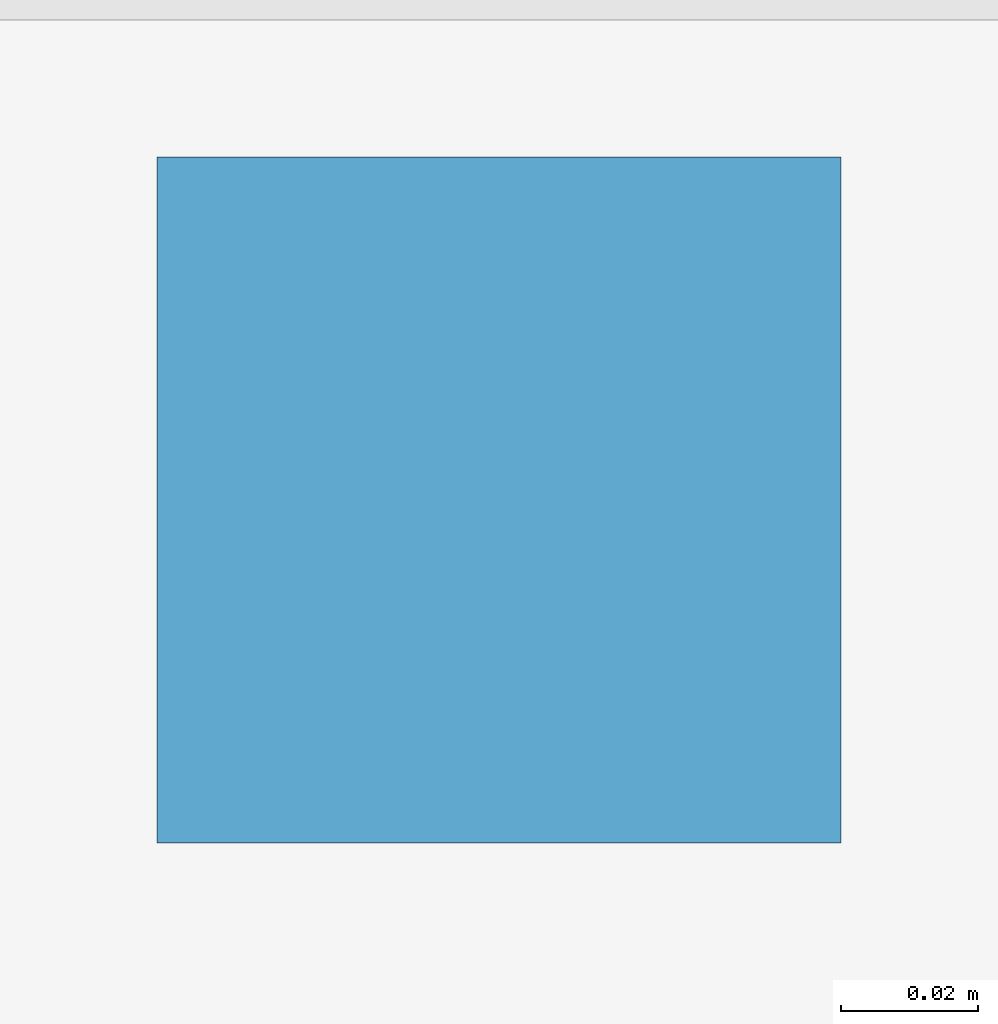
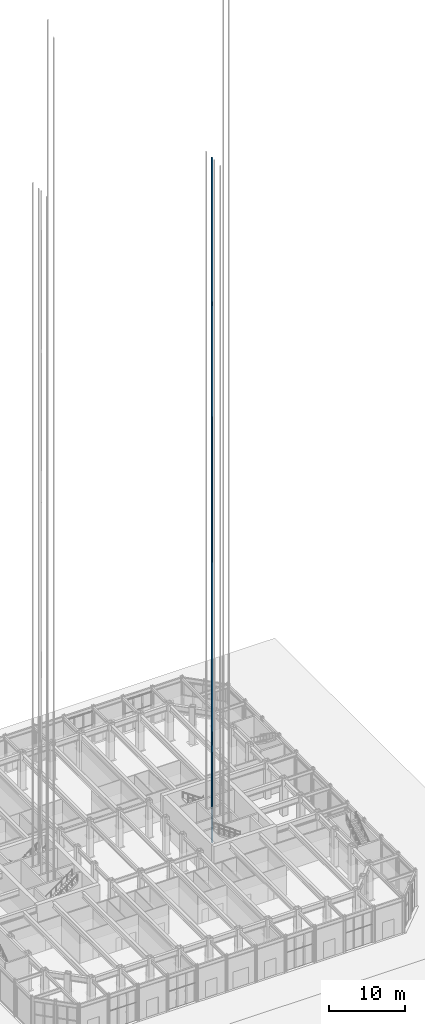
# One storey, part 34 of 39: 1 discrete accessory.
"""IFC4 building model written with IfcOpenShell, lengths in metres."""

import ifcopenshell
import ifcopenshell.guid

model = None  # the IFC model being written
_history = None  # IfcOwnerHistory: only IFC2X3 demands one
_inside = {}  # id of a spatial element -> (the spatial element, [elements in it])
_under = {}  # id of a project, library or spatial element -> (it, [spatial elements below it])
_declared = {}  # id of a project -> (the project, [libraries it declares])
_typed = {}  # id of a type object -> (the type object, [elements of that type])
_made_of = {}  # id of a material, layer set ... -> (it, [elements and type objects made of it])


def new_model(schema):
    """Start an empty IFC model of exactly this schema.

    Asked for "IFC4X3", IfcOpenShell would pick the latest addendum, in which some entities
    have other attributes; the version numbers below select the first issue.
    IFC2X3 requires an IfcOwnerHistory on every rooted entity: one is made here for all.
    """
    global model, _history
    if schema == "IFC4X3":
        model = ifcopenshell.file(schema_version=(4, 3, 0, 0))
    else:
        model = ifcopenshell.file(schema=schema)
    _inside.clear()
    _under.clear()
    _declared.clear()
    _typed.clear()
    _made_of.clear()
    _history = None
    if model.schema == "IFC2X3":
        org = make("IfcOrganization", Name="unknown")
        user = make(
            "IfcPersonAndOrganization",
            ThePerson=make("IfcPerson", FamilyName="unknown"),
            TheOrganization=org,
        )
        app = make(
            "IfcApplication",
            ApplicationDeveloper=org,
            Version="unknown",
            ApplicationFullName="unknown",
            ApplicationIdentifier="unknown",
        )
        _history = make(
            "IfcOwnerHistory",
            OwningUser=user,
            OwningApplication=app,
            ChangeAction="ADDED",
            CreationDate=0,
        )
    return model


def make(cls, **values):
    """One entity of the class cls with the attributes given. An attribute that is None is left unset."""
    return model.create_entity(
        cls, **{name: value for name, value in values.items() if value is not None}
    )


def rooted(cls, **values):
    """An entity with a GlobalId (a new one), such as an element, a storey or a relation."""
    return make(cls, GlobalId=ifcopenshell.guid.new(), OwnerHistory=_history, **values)


def si_unit(unit_type, name, prefix=None):
    """IfcSIUnit, for example si_unit("LENGTHUNIT", "METRE", prefix="MILLI")."""
    return make("IfcSIUnit", UnitType=unit_type, Prefix=prefix, Name=name)


def assignment(units):
    """IfcUnitAssignment: the units of a project."""
    return None if units is None else make("IfcUnitAssignment", Units=units)


def point(xyz):
    """IfcCartesianPoint."""
    return None if xyz is None else make("IfcCartesianPoint", Coordinates=xyz)


def direction(xyz):
    """IfcDirection."""
    return None if xyz is None else make("IfcDirection", DirectionRatios=xyz)


def frame(location, z_axis=None, x_axis=None):
    """IfcAxis2Placement3D, a coordinate frame: its origin and axes. An axis left out is left unset."""
    return make(
        "IfcAxis2Placement3D",
        Location=point(location),
        Axis=direction(z_axis),
        RefDirection=direction(x_axis),
    )


def origin():
    """The frame at (0, 0, 0) with its axes left unset."""
    return frame((0.0, 0.0, 0.0))


def place(relative_to, where):
    """IfcLocalPlacement: puts the frame where relative to a parent placement (None: the world)."""
    return make(
        "IfcLocalPlacement", PlacementRelTo=relative_to, RelativePlacement=where
    )


def context(
    kind, dimensions, precision=None, world=None, true_north=None, identifier=None
):
    """IfcGeometricRepresentationContext, for example the 3D "Model" context."""
    return make(
        "IfcGeometricRepresentationContext",
        ContextIdentifier=identifier,
        ContextType=kind,
        CoordinateSpaceDimension=dimensions,
        Precision=precision,
        WorldCoordinateSystem=world,
        TrueNorth=true_north,
    )


def subcontext(parent, identifier, kind, view, scale=None):
    """IfcGeometricRepresentationSubContext, for example "Body" below "Model"."""
    return make(
        "IfcGeometricRepresentationSubContext",
        ContextIdentifier=identifier,
        ContextType=kind,
        ParentContext=parent,
        TargetScale=scale,
        TargetView=view,
    )


def project(units=None, contexts=None):
    """IfcProject with its units and contexts."""
    return rooted(
        "IfcProject",
        Name="project",
        RepresentationContexts=contexts,
        UnitsInContext=assignment(units),
    )


def spatial(cls, under=None, at=None, **own):
    """A site, building, storey or space (cls), placed at a placement, below another one or the project."""
    s = rooted(cls, ObjectPlacement=at, **own)
    if under is not None:
        _under.setdefault(under.id(), (under, []))[1].append(s)
    return s


def polyline(points):
    """IfcPolyline through the points."""
    return make("IfcPolyline", Points=[point(p) for p in points])


def outline(outer, holes=None, kind="AREA"):
    """IfcArbitraryClosedProfileDef: a profile drawn as a closed curve; with holes, ...WithVoids."""
    if holes is None:
        return make("IfcArbitraryClosedProfileDef", ProfileType=kind, OuterCurve=outer)
    return make(
        "IfcArbitraryProfileDefWithVoids",
        ProfileType=kind,
        OuterCurve=outer,
        InnerCurves=holes,
    )


def extrude(swept, where, along, depth):
    """IfcExtrudedAreaSolid: the profile swept, set in the frame where, extruded along a direction by depth."""
    return make(
        "IfcExtrudedAreaSolid",
        SweptArea=swept,
        Position=where,
        ExtrudedDirection=direction(along),
        Depth=depth,
    )


def shape(context_of_items, identifier, shape_type, items):
    """IfcShapeRepresentation: the items that make up one representation, for example the "Body"."""
    return make(
        "IfcShapeRepresentation",
        ContextOfItems=context_of_items,
        RepresentationIdentifier=identifier,
        RepresentationType=shape_type,
        Items=items,
    )


def made_of(thing, what):
    """Note that an element or type object is made of a material, layer set ...; save() writes the relation."""
    if what is not None:
        _made_of.setdefault(what.id(), (what, []))[1].append(thing)
    return thing


def element(
    cls,
    number,
    at=None,
    inside=None,
    cuts=None,
    type_object=None,
    material=None,
    context=None,
    identifier="Body",
    shape_type=None,
    held_by="IfcProductDefinitionShape",
    body=None,
    shapes=None,
    **own,
):
    """One element of the class cls, such as IfcWall. Its Tag is "e" and its number.

    at: its placement. inside: the storey or other place that contains it. cuts: it is an
    opening in that element (IfcRelVoidsElement). A single representation is given by context,
    identifier, shape_type and body (its items); several are given by shapes. held_by: the class
    of the entity that holds the representations. save() writes the other relations.
    """
    e = rooted(cls, Tag="e%d" % number, ObjectPlacement=at, **own)
    if body is not None:
        shapes = [shape(context, identifier, shape_type, body)]
    if shapes is not None:
        e.Representation = make(held_by, Representations=shapes)
    if inside is not None:
        _inside.setdefault(inside.id(), (inside, []))[1].append(e)
    if cuts is not None:
        rooted(
            "IfcRelVoidsElement", RelatingBuildingElement=cuts, RelatedOpeningElement=e
        )
    if type_object is not None:
        _typed.setdefault(type_object.id(), (type_object, []))[1].append(e)
    return made_of(e, material)


def aggregate(whole, parts):
    """IfcRelAggregates: a whole, such as a stair, and the parts it consists of."""
    return rooted("IfcRelAggregates", RelatingObject=whole, RelatedObjects=parts)


def save(model, path):
    """Write the relations noted so far, then the file.

    IfcRelAggregates (storeys below a building ...), IfcRelContainedInSpatialStructure (elements
    in a storey), IfcRelDefinesByType, IfcRelAssociatesMaterial and IfcRelDeclares: one each for
    every whole, place, type object, material and project.
    """
    for whole, parts in _under.values():
        aggregate(whole, parts)
    for where, things in _inside.values():
        rooted(
            "IfcRelContainedInSpatialStructure",
            RelatedElements=things,
            RelatingStructure=where,
        )
    for kind, things in _typed.values():
        rooted("IfcRelDefinesByType", RelatedObjects=things, RelatingType=kind)
    for what, things in _made_of.values():
        rooted("IfcRelAssociatesMaterial", RelatedObjects=things, RelatingMaterial=what)
    for by, libraries in _declared.values():
        rooted("IfcRelDeclares", RelatingContext=by, RelatedDefinitions=libraries)
    model.write(path)


model = new_model("IFC4")

# Units and contexts
model_context = context("Model", 3, precision=1e-05, world=origin(), true_north=direction((0.0, 1.0)))
body_context = subcontext(model_context, "Body", "Model", "MODEL_VIEW")
ifc_project = project(units=[si_unit("LENGTHUNIT", "METRE"), si_unit("AREAUNIT", "SQUARE_METRE"), si_unit("VOLUMEUNIT", "CUBIC_METRE"), si_unit("PLANEANGLEUNIT", "RADIAN"), si_unit("MASSUNIT", "GRAM", prefix="KILO")], contexts=[model_context])

# Site, building, storey
site_placement = place(None, origin())
site = spatial("IfcSite", under=ifc_project, at=site_placement, CompositionType="ELEMENT")
building_placement = place(site_placement, origin())
building = spatial("IfcBuilding", under=site, at=building_placement, Name="Msasa Ring Tower", CompositionType="ELEMENT")
storey_placement = place(building_placement, origin())
storey = spatial("IfcBuildingStorey", under=building, at=storey_placement, Name="L00", CompositionType="ELEMENT", Elevation=0.0)

# Discrete accessory
discrete_accessory_placement = place(storey_placement, frame((0.0, 0.0, 0.050048828125)))
element("IfcDiscreteAccessory", 1, at=discrete_accessory_placement, inside=storey, Name="Lift guide rail 1 PL-R2", ObjectType="LIFT GUIDE RAIL", PredefinedType="USERDEFINED", context=body_context, shape_type="SweptSolid", body=[
    extrude(outline(polyline([(13.175048828125, 1.22998046875), (13.27490234375, 1.22998046875), (13.27490234375, 1.330078125), (13.175048828125, 1.330078125), (13.175048828125, 1.22998046875)])), origin(), (0.0, 0.0, 1.0), 110.550048828125),
])

save(model, "model.ifc")
